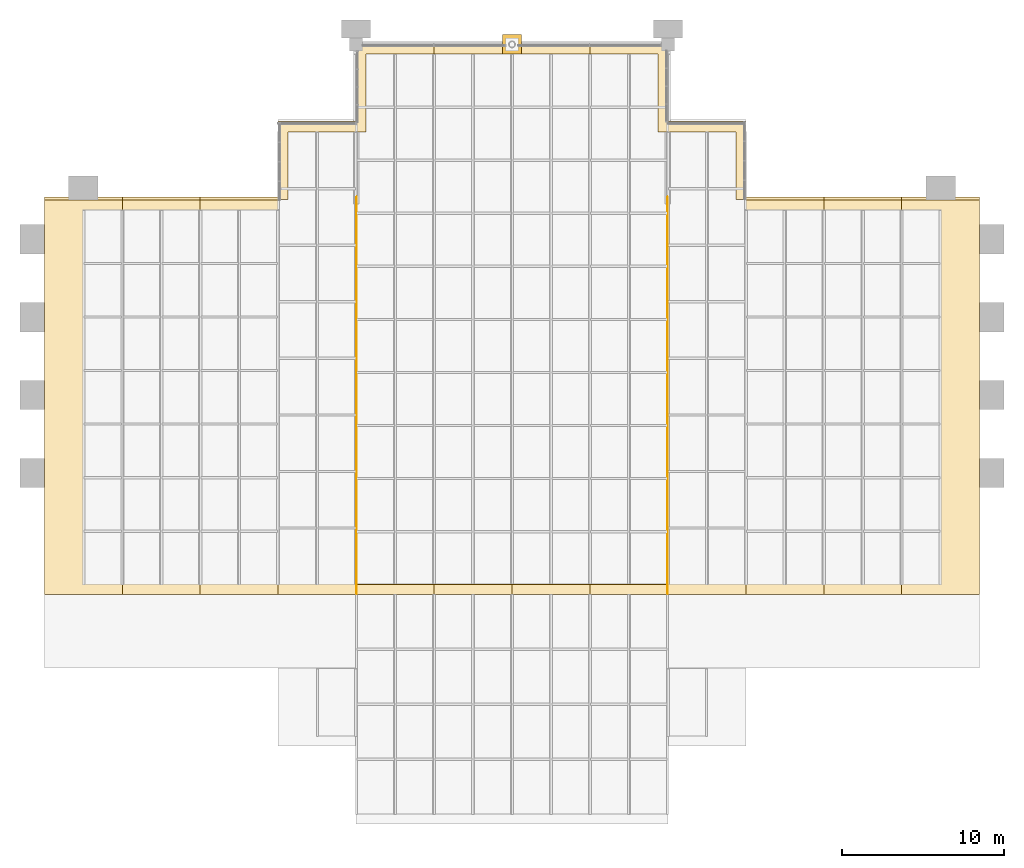
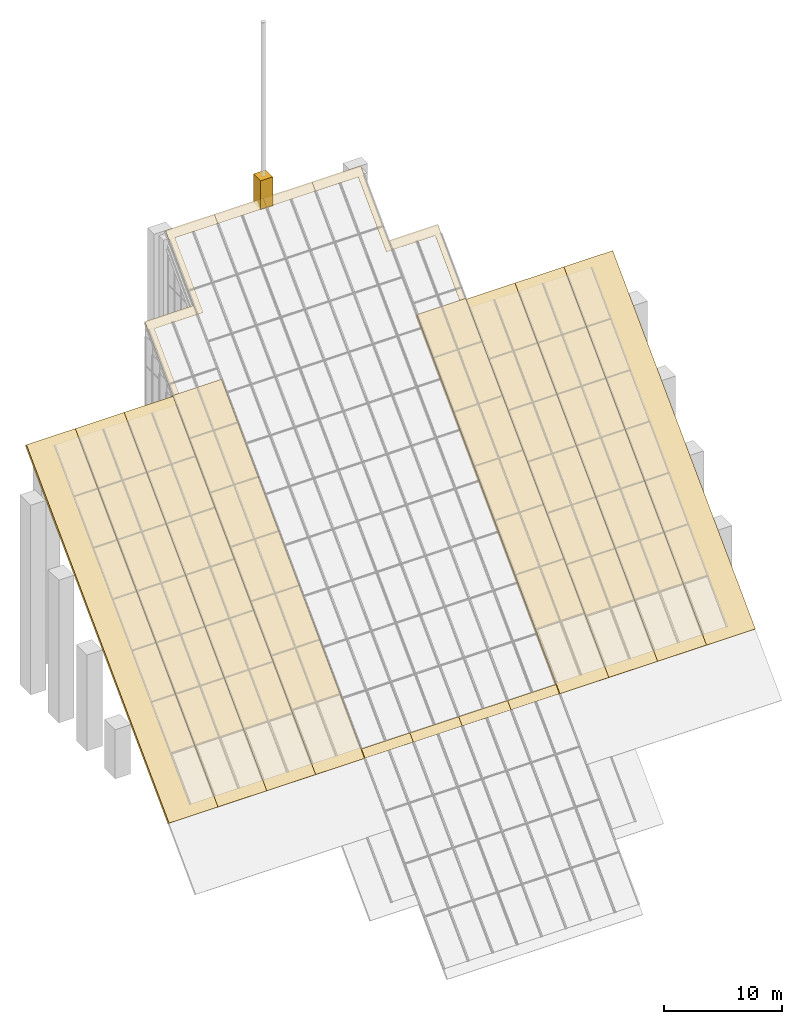
# One storey, part 25 of 25: 21 coverings.
"""IFC4 building model written with IfcOpenShell, lengths in metres."""

from ifc_helpers import new_model, si_unit, direction, frame, origin, origin_2d, place, context, subcontext, project, spatial, polyline, rectangle, outline, extrude, material, layer, layer_set, type_object, element, save


model = new_model("IFC4")

# Units and contexts
model_context = context("Model", 3, precision=1e-05, world=origin(), true_north=direction((0.0, 1.0)))
body_context = subcontext(model_context, "Body", "Model", "MODEL_VIEW")
ifc_project = project(units=[si_unit("LENGTHUNIT", "METRE"), si_unit("AREAUNIT", "SQUARE_METRE"), si_unit("VOLUMEUNIT", "CUBIC_METRE"), si_unit("PLANEANGLEUNIT", "RADIAN"), si_unit("MASSUNIT", "GRAM", prefix="KILO")], contexts=[model_context])

# Site, building, storey
site_placement = place(None, origin())
site = spatial("IfcSite", under=ifc_project, at=site_placement, CompositionType="ELEMENT")
building_placement = place(site_placement, origin())
building = spatial("IfcBuilding", under=site, at=building_placement, Name="Baori Bourse Tower", CompositionType="ELEMENT")
storey_placement = place(building_placement, frame((0.0, 0.0, 378.300048828125)))
storey = spatial("IfcBuildingStorey", under=building, at=storey_placement, Name="Roof", CompositionType="ELEMENT", Elevation=378.300048828125)

# Coverings
ifc_material_1 = material(Name="Pale anodised aluminium", Category="aluminium")
covering_type_1 = type_object("IfcCoveringType", Name="MS2 Mast base", PredefinedType="CLADDING", material=ifc_material_1)
covering_1_placement = place(storey_placement, frame((28.800048828125, 48.0, 32.541748046875), z_axis=(0.0, 0.0, 1.0), x_axis=(1.0, 0.0, 0.0)))
element("IfcCovering", 1, at=covering_1_placement, inside=storey, type_object=covering_type_1, Name="Mast base", PredefinedType="CLADDING", context=body_context, shape_type="SweptSolid", body=[
    extrude(rectangle(XDim=1.199951171875, YDim=1.199951171875, at=origin_2d()), origin(), (0.0, 0.0, 1.0), 3.0),
])
ifc_material_2 = material(Name="Pale anodised aluminium", Category="aluminium")
ifc_layer_1 = layer(ifc_material_2, 0.06005859375)
ifc_layer_set_1 = layer_set([ifc_layer_1], Name="RF1 Roof cladding strip")
covering_type_2 = type_object("IfcCoveringType", Name="RF1 Roof cladding strip", PredefinedType="ROOFING", material=ifc_layer_set_1)
covering_2_placement = place(storey_placement, frame((4.800048828125, 38.39990234375, 23.46533203125), z_axis=(0.0, -0.711488688791, 0.702697549251), x_axis=(-1.0, 0.0, 0.0)))
element("IfcCovering", 2, at=covering_2_placement, inside=storey, type_object=covering_type_2, Name="Roof cladding strip 1", PredefinedType="ROOFING", context=body_context, shape_type="SweptSolid", body=[
    extrude(outline(polyline([(0.0, 0.0), (4.800048828125, 0.0), (4.800048828125, 34.54739128289472), (0.0, 34.54739128289472), (0.0, 0.0)])), origin(), (0.0, 0.0, -1.0), 0.279541015625),
])
covering_3_placement = place(storey_placement, frame((9.60009765625, 14.12353515625, -1.11474609375), z_axis=(0.0, -0.711488688791, 0.702697549251), x_axis=(0.0, 0.702697549251, 0.711488688791)))
element("IfcCovering", 3, at=covering_3_placement, inside=storey, type_object=covering_type_2, Name="Roof cladding strip 2", PredefinedType="ROOFING", context=body_context, shape_type="SweptSolid", body=[
    extrude(outline(polyline([(0.0, 0.0), (34.54739128289472, 0.0), (34.54739128289472, 4.800048828125), (0.0, 4.800048828125), (0.0, 0.0)])), origin(), (0.0, 0.0, -1.0), 0.279541015625),
])
covering_4_placement = place(storey_placement, frame((14.39990234375, 14.12353515625, -1.11474609375), z_axis=(0.0, -0.711488688791, 0.702697549251), x_axis=(0.0, 0.702697549251, 0.711488688791)))
element("IfcCovering", 4, at=covering_4_placement, inside=storey, type_object=covering_type_2, Name="Roof cladding strip 3", PredefinedType="ROOFING", context=body_context, shape_type="SweptSolid", body=[
    extrude(outline(polyline([(0.0, 0.0), (34.54739128289472, 0.0), (34.54739128289472, 4.7998046875), (0.0, 4.7998046875), (0.0, 0.0)])), origin(), (0.0, 0.0, -1.0), 0.279541015625),
])
covering_5_placement = place(storey_placement, frame((14.39990234375, 43.199951171875, 28.325439453125), z_axis=(9.0014839e-05, -0.71157788379, 0.70260722114), x_axis=(-1.0069e-08, -0.702607223988, -0.711577886672)))
element("IfcCovering", 5, at=covering_5_placement, inside=storey, type_object=covering_type_2, Name="Roof cladding strip 4", PredefinedType="ROOFING", context=body_context, shape_type="SweptSolid", body=[
    extrude(outline(polyline([(0.0, 0.0), (6.75976819270973, -5.421010862427522e-20), (6.759768186667564, 0.600097653818803), (0.8538631065710862, 0.6000976721408281), (0.8538630642833056, 4.800048827000416), (-4.8329945467411225e-08, 4.80004880867839), (0.0, 0.0)])), origin(), (0.0, 0.0, -1.0), 0.06005859375),
])
covering_6_placement = place(storey_placement, frame((14.39990234375, 38.449951171875, 23.515869140625), z_axis=(0.0, -0.711486722445, 0.70269954019), x_axis=(0.0, -0.70269954019, -0.711486722445)))
element("IfcCovering", 6, at=covering_6_placement, inside=storey, type_object=covering_type_2, Name="Roof cladding strip 5", PredefinedType="ROOFING", context=body_context, shape_type="SweptSolid", body=[
    extrude(outline(polyline([(0.0, 0.0), (34.61851705358106, 0.0), (34.61851705358106, 4.800048828125001), (0.0, 4.800048828125001), (0.0, 0.0)])), origin(), (0.0, 0.0, -1.0), 0.279541015625),
])
covering_7_placement = place(storey_placement, frame((24.0, 48.0, 33.185302734375), z_axis=(-6.2987988e-05, -0.711444876466, 0.702741904103), x_axis=(-0.999999998016, 4.4812481e-05, -4.4264298e-05)))
element("IfcCovering", 7, at=covering_7_placement, inside=storey, type_object=covering_type_2, Name="Roof cladding strip 6", PredefinedType="ROOFING", context=body_context, shape_type="SweptSolid", body=[
    extrude(outline(polyline([(0.0, 0.0), (4.800048818602935, 0.0), (4.800048851929435, 7.6845833754526875), (4.199951196869875, 7.6845833754526875), (4.199951158781616, 0.85386095211704), (-4.761758794825141e-09, 0.85386095211704), (0.0, 0.0)])), origin(), (0.0, 0.0, -1.0), 0.06005859375),
])
covering_8_placement = place(storey_placement, frame((24.0, 14.723388671875, -0.507080078125), z_axis=(0.0, -0.711674141928, 0.702509726418), x_axis=(-1.0, 0.0, 0.0)))
element("IfcCovering", 8, at=covering_8_placement, inside=storey, type_object=covering_type_2, Name="Roof cladding strip 7", PredefinedType="ROOFING", context=body_context, shape_type="SweptSolid", body=[
    extrude(outline(polyline([(0.0, 0.0), (4.75, 0.0), (4.75, 0.8524820804670294), (0.0, 0.8524820804670294), (0.0, 0.0)])), origin(), (0.0, 0.0, -1.0), 0.06005859375),
])
covering_9_placement = place(storey_placement, frame((19.25, 14.12353515625, -1.11474609375), z_axis=(0.0, -0.711486722445, 0.70269954019), x_axis=(0.0, 0.70269954019, 0.711486722445)))
element("IfcCovering", 9, at=covering_9_placement, inside=storey, type_object=covering_type_2, Name="Roof cladding strip 8", PredefinedType="ROOFING", context=body_context, shape_type="SweptSolid", body=[
    extrude(outline(polyline([(0.0, 0.0), (34.61851705358106, 0.0), (34.61851705358106, 0.050048828125), (0.0, 0.050048828125), (0.0, 0.0)])), origin(), (0.0, 0.0, -1.0), 0.279541015625),
])
for number, where, z_axis, x_axis, name in (
    (10, (24.0, 14.723388671875, -0.507080078125), (0.0, -0.711674141928, 0.702509726418), (0.0, -0.702509726418, -0.711674141928), "Roof cladding strip 10"),
    (11, (28.800048828125, 14.723388671875, -0.507080078125), (0.0, -0.711674141928, 0.702509726418), (0.0, -0.702509726418, -0.711674141928), "Roof cladding strip 12"),
):
    element("IfcCovering", number, at=place(storey_placement, frame(where, z_axis=z_axis, x_axis=x_axis)), inside=storey, type_object=covering_type_2, Name=name, PredefinedType="ROOFING", context=body_context, shape_type="SweptSolid", body=[
        extrude(outline(polyline([(0.0, 0.0), (0.8524820804670297, 0.0), (0.8524820804670297, 4.800048828125001), (0.0, 4.800048828125001), (0.0, 0.0)])), origin(), (0.0, 0.0, -1.0), 0.06005859375),
    ])
covering_10_placement = place(storey_placement, frame((38.39990234375, 42.60009765625, 27.7177734375), z_axis=(6.3002406e-05, -0.71144486539, 0.702741915315), x_axis=(-4.339e-09, 0.70274191671, 0.711444866802)))
element("IfcCovering", 12, at=covering_10_placement, inside=storey, type_object=covering_type_2, Name="Roof cladding strip 13", PredefinedType="ROOFING", context=body_context, shape_type="SweptSolid", body=[
    extrude(outline(polyline([(0.0, 0.0), (7.684583375444348, -5.421010862427522e-20), (7.684583396269671, 4.79980467797406), (6.830722444151441, 4.79980468644078), (6.830722425928753, 0.5998535229012202), (2.6026357562814076e-09, 0.5998535144344997), (0.0, 0.0)])), origin(), (0.0, 0.0, -1.0), 0.06005859375),
])
covering_11_placement = place(storey_placement, frame((33.60009765625, 14.12451171875, -1.11376953125), z_axis=(0.0, -0.711674141928, 0.702509726418), x_axis=(1.0, 0.0, 0.0)))
element("IfcCovering", 13, at=covering_11_placement, inside=storey, type_object=covering_type_2, Name="Roof cladding strip 14", PredefinedType="ROOFING", context=body_context, shape_type="SweptSolid", body=[
    extrude(outline(polyline([(0.0, 0.0), (4.75, 0.0), (4.75, 0.8524820804670294), (0.0, 0.8524820804670294), (0.0, 0.0)])), origin(), (0.0, 0.0, -1.0), 0.06005859375),
])
covering_12_placement = place(storey_placement, frame((38.35009765625, 14.12451171875, -1.11376953125), z_axis=(-8.6150564e-05, -0.711486806899, 0.702699449399), x_axis=(0.999615765194, -0.019539037539, -0.019660823668)))
element("IfcCovering", 14, at=covering_12_placement, inside=storey, type_object=covering_type_2, Name="Roof cladding strip 15", PredefinedType="ROOFING", context=body_context, shape_type="SweptSolid", body=[
    extrude(outline(polyline([(0.0, 0.0), (0.049823831920029454, 1.0842021724855044e-19), (-0.9097491067573003, 34.60521554281121), (-0.9595346575628697, 34.603835032199655), (0.0, 0.0)])), origin(), (0.0, 0.0, -1.0), 0.279541015625),
])
covering_13_placement = place(storey_placement, frame((38.39990234375, 43.199951171875, 28.325439453125), z_axis=(-0.000196066096, -0.711577892394, 0.702607190836), x_axis=(-2.9672e-08, 0.702607204345, 0.711577906067)))
element("IfcCovering", 15, at=covering_13_placement, inside=storey, type_object=covering_type_2, Name="Roof cladding strip 16", PredefinedType="ROOFING", context=body_context, shape_type="SweptSolid", body=[
    extrude(outline(polyline([(0.0, 0.0), (6.830720225291512, 0.0), (-0.8538631126162328, 4.65133259952013e-08), (-0.8538632372446481, -4.2001951852548975), (-6.759768317317267, -4.200195179477302), (-6.759768335116152, -4.800048683572543), (-1.4242730022798626e-07, -4.800048735863465), (0.0, 0.0)])), origin(), (0.0, 0.0, -1.0), 0.06005859375),
])
covering_14_placement = place(storey_placement, frame((43.199951171875, 14.12353515625, -1.11474609375), z_axis=(0.0, -0.711486722445, 0.70269954019), x_axis=(0.0, 0.70269954019, 0.711486722445)))
element("IfcCovering", 16, at=covering_14_placement, inside=storey, type_object=covering_type_2, Name="Roof cladding strip 17", PredefinedType="ROOFING", context=body_context, shape_type="SweptSolid", body=[
    extrude(outline(polyline([(0.0, 0.0), (34.61851705358106, 0.0), (34.61851705358106, 4.800048828125001), (0.0, 4.800048828125001), (0.0, 0.0)])), origin(), (0.0, 0.0, -1.0), 0.279541015625),
])
covering_15_placement = place(storey_placement, frame((43.199951171875, 38.39990234375, 23.46533203125), z_axis=(-1.0090751e-05, -0.711488688754, 0.702697549215), x_axis=(-1.3743e-08, 0.702697549251, 0.71148868879)))
element("IfcCovering", 17, at=covering_15_placement, inside=storey, type_object=covering_type_2, Name="Roof cladding strip 18", PredefinedType="ROOFING", context=body_context, shape_type="SweptSolid", body=[
    extrude(outline(polyline([(0.0, 0.0), (0.07112577055079622, 0.0), (-34.54739128289472, 4.7480020353723074e-07), (-34.547391348863925, -4.800048353080417), (-6.596921144650807e-08, -4.80004882788062), (0.0, 0.0)])), origin(), (0.0, 0.0, -1.0), 0.279541015625),
])
for number, where, z_axis, x_axis, name in (
    (18, (52.800048828125, 14.12353515625, -1.11474609375), (0.0, -0.711488688791, 0.702697549251), (0.0, 0.702697549251, 0.711488688791), "Roof cladding strip 19"),
    (19, (57.60009765625, 14.12353515625, -1.11474609375), (0.0, -0.711488688791, 0.702697549251), (0.0, 0.702697549251, 0.711488688791), "Roof cladding strip 20"),
):
    element("IfcCovering", number, at=place(storey_placement, frame(where, z_axis=z_axis, x_axis=x_axis)), inside=storey, type_object=covering_type_2, Name=name, PredefinedType="ROOFING", context=body_context, shape_type="SweptSolid", body=[
        extrude(outline(polyline([(0.0, 0.0), (34.54739128289472, 0.0), (34.54739128289472, 4.800048828125), (0.0, 4.800048828125), (0.0, 0.0)])), origin(), (0.0, 0.0, -1.0), 0.279541015625),
    ])
ifc_material_3 = material(Name="Pale anodised aluminium", Category="aluminium")
ifc_layer_2 = layer(ifc_material_3, 0.06005859375)
ifc_layer_set_2 = layer_set([ifc_layer_2], Name="RF2 Crown edge cladding")
covering_type_3 = type_object("IfcCoveringType", Name="RF2 Crown edge cladding", PredefinedType="CLADDING", material=ifc_layer_set_2)
for number, where, z_axis, x_axis, name in (
    (20, (28.800048828125, 47.39990234375, 32.577880859375), (0.0, -0.711382656758, 0.702804891605), (0.0, 0.702804891605, 0.711382656758), "Crown edge cladding 9"),
    (21, (33.60009765625, 47.39990234375, 32.577880859375), (0.0, -0.711382656758, 0.702804891605), (0.0, 0.702804891605, 0.711382656758), "Crown edge cladding 11"),
):
    element("IfcCovering", number, at=place(storey_placement, frame(where, z_axis=z_axis, x_axis=x_axis)), inside=storey, type_object=covering_type_3, Name=name, PredefinedType="CLADDING", context=body_context, shape_type="SweptSolid", body=[
        extrude(outline(polyline([(0.0, 0.0), (0.8538609554636275, 0.0), (0.8538609554636275, 4.800048828125), (0.0, 4.800048828125), (0.0, 0.0)])), origin(), (0.0, 0.0, -1.0), 0.06005859375),
    ])

save(model, "model.ifc")
